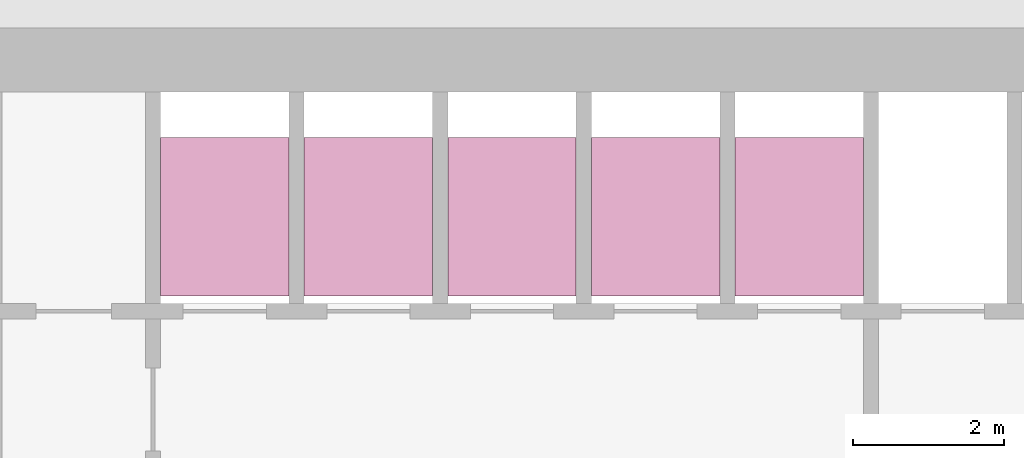
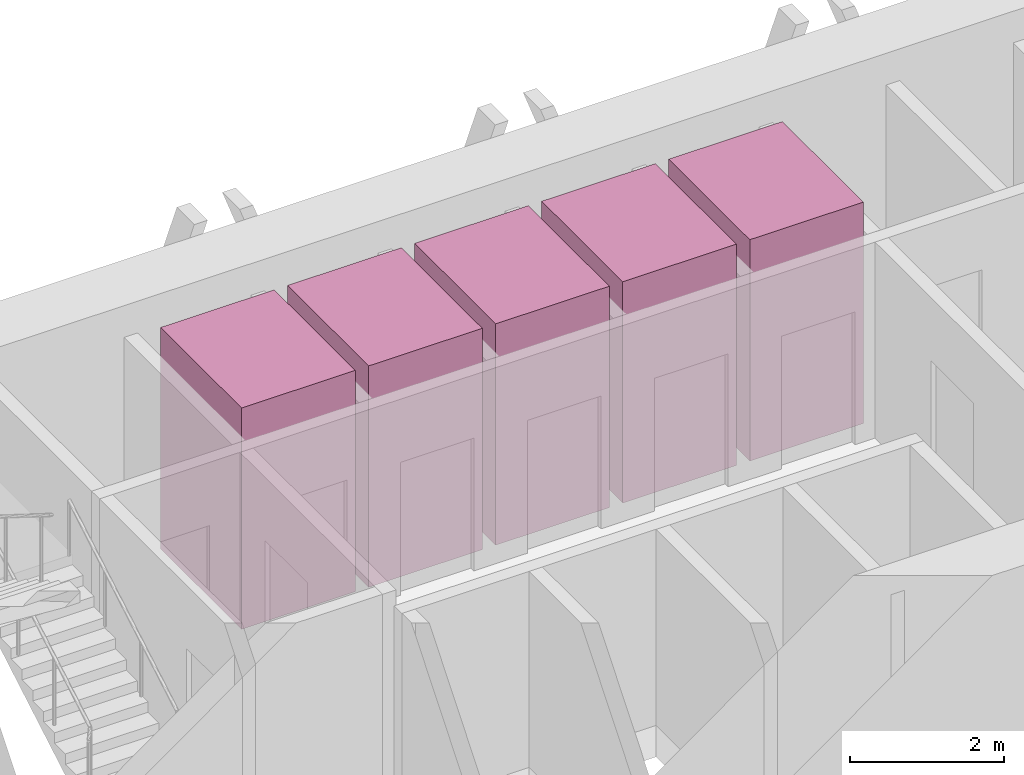
# One storey, part 16 of 16: 5 transport elements.
"""IFC4 building model written with IfcOpenShell, lengths in metres."""

from ifc_helpers import new_model, si_unit, direction, frame, origin, origin_2d, place, context, subcontext, project, spatial, rectangle, extrude, material, type_object, element, save


model = new_model("IFC4")

# Units and contexts
model_context = context("Model", 3, precision=1e-05, world=origin(), true_north=direction((0.0, 1.0)))
body_context = subcontext(model_context, "Body", "Model", "MODEL_VIEW")
ifc_project = project(units=[si_unit("LENGTHUNIT", "METRE"), si_unit("AREAUNIT", "SQUARE_METRE"), si_unit("VOLUMEUNIT", "CUBIC_METRE"), si_unit("PLANEANGLEUNIT", "RADIAN"), si_unit("MASSUNIT", "GRAM", prefix="KILO")], contexts=[model_context])

# Site, building, storey
site_placement = place(None, origin())
site = spatial("IfcSite", under=ifc_project, at=site_placement, CompositionType="ELEMENT")
building_placement = place(site_placement, origin())
building = spatial("IfcBuilding", under=site, at=building_placement, Name="Altiplano Prism Tower", CompositionType="ELEMENT")
storey_placement = place(building_placement, frame((0.0, 0.0, 84.60009765625)))
storey = spatial("IfcBuildingStorey", under=building, at=storey_placement, Name="L21", CompositionType="ELEMENT", Elevation=84.60009765625)

# Transport elements
ifc_material = material(Name="Stainless steel lift car", Category="steel")
transport_element_type = type_object("IfcTransportElementType", Name="Passenger lift car 1600 x 2100", PredefinedType="ELEVATOR", material=ifc_material)
for number, where, z_axis, x_axis, name in (
    (1, (79.050048828125, 101.75, 0.0498046875), (0.0, 0.0, 1.0), (1.0, 0.0, 0.0), "Low Zone Passenger Lift 1"),
    (2, (80.949951171875, 101.75, 0.0498046875), (0.0, 0.0, 1.0), (1.0, 0.0, 0.0), "Low Zone Passenger Lift 2"),
    (3, (82.85009765625, 101.75, 0.0498046875), (0.0, 0.0, 1.0), (1.0, 0.0, 0.0), "Low Zone Passenger Lift 3"),
    (4, (84.75, 101.75, 0.0498046875), (0.0, 0.0, 1.0), (1.0, 0.0, 0.0), "Low Zone Passenger Lift 4"),
    (5, (86.64990234375, 101.75, 0.0498046875), (0.0, 0.0, 1.0), (1.0, 0.0, 0.0), "Low Zone Passenger Lift 5"),
):
    element("IfcTransportElement", number, at=place(storey_placement, frame(where, z_axis=z_axis, x_axis=x_axis)), inside=storey, type_object=transport_element_type, Name=name, PredefinedType="ELEVATOR", context=body_context, shape_type="SweptSolid", body=[
        extrude(rectangle(XDim=1.699951171875, YDim=2.10009765625, at=origin_2d()), origin(), (0.0, 0.0, 1.0), 3.5),
    ])

save(model, "model.ifc")
